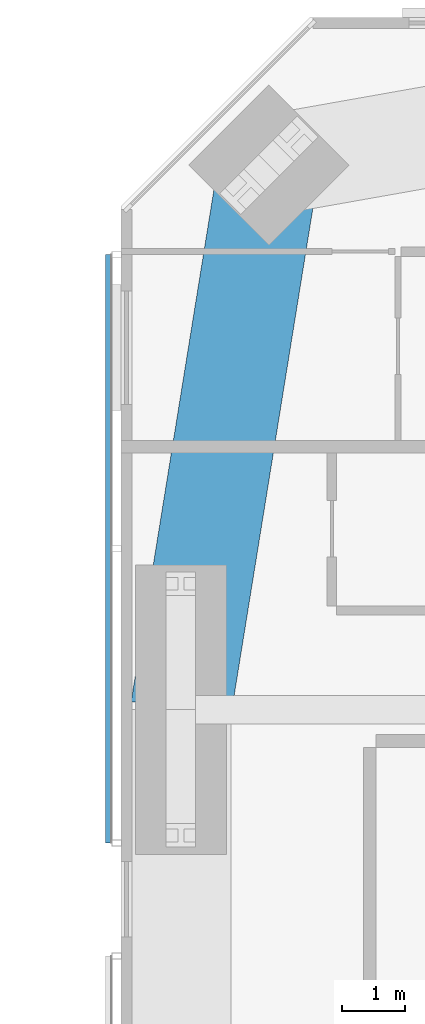
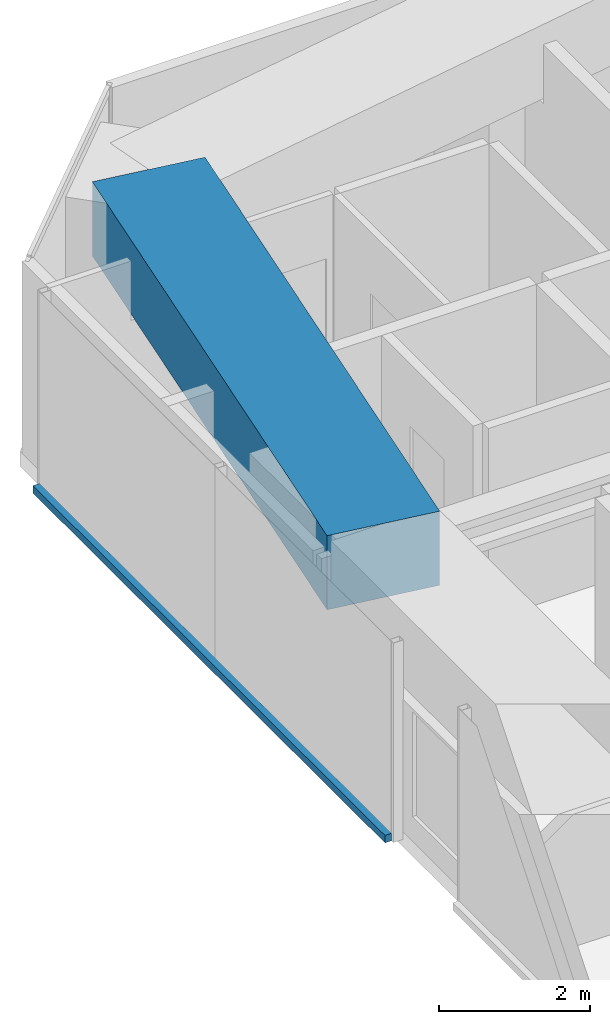
# One storey, part 6 of 22: 1 beam, 1 member, 1 element without a shape of its own.
"""IFC4 building model written with IfcOpenShell, lengths in metres."""

from ifc_helpers import new_model, si_unit, direction, frame, origin, origin_2d, place, context, subcontext, project, spatial, rectangle, extrude, material, material_profile, profile_set, type_object, element, aggregate, save


model = new_model("IFC4")

# Units and contexts
model_context = context("Model", 3, precision=1e-05, world=origin(), true_north=direction((0.0, 1.0)))
body_context = subcontext(model_context, "Body", "Model", "MODEL_VIEW")
ifc_project = project(units=[si_unit("LENGTHUNIT", "METRE"), si_unit("AREAUNIT", "SQUARE_METRE"), si_unit("VOLUMEUNIT", "CUBIC_METRE"), si_unit("PLANEANGLEUNIT", "RADIAN"), si_unit("MASSUNIT", "GRAM", prefix="KILO")], contexts=[model_context])

# Site, building, storey
site_placement = place(None, origin())
site = spatial("IfcSite", under=ifc_project, at=site_placement, CompositionType="ELEMENT")
building_placement = place(site_placement, origin())
building = spatial("IfcBuilding", under=site, at=building_placement, Name="Jalousie Tower", CompositionType="ELEMENT")
storey_placement = place(building_placement, frame((0.0, 0.0, 161.050048828125)))
storey = spatial("IfcBuildingStorey", under=building, at=storey_placement, Name="L43", CompositionType="ELEMENT", Elevation=161.050048828125)

# Beam
ifc_material_1 = material(Name="Concrete f'c 40 MPa", Category="concrete")
ifc_material_profile_1 = material_profile(ifc_material_1, rectangle(XDim=1.60009765625, YDim=1.199951171875, at=origin_2d()), Name="RC 1600x1200")
ifc_profile_set_1 = profile_set([ifc_material_profile_1], Name="Concrete f'c 40 MPa")
beam_type = type_object("IfcBeamType", Name="RC BEAM 1600x1200", PredefinedType="BEAM", material=ifc_profile_set_1)
beam_placement = place(storey_placement, frame((14.348388671875, 33.651611328125, 2.75), z_axis=(-0.159567878256, -0.987186959106, 0.0), x_axis=(0.987186959106, -0.159567878256, 0.0)))
element("IfcBeam", 1, at=beam_placement, inside=storey, type_object=beam_type, Name="Edge band beam 12-13 under L44", PredefinedType="BEAM", context=body_context, shape_type="SweptSolid", body=[
    extrude(rectangle(XDim=1.60009765625, YDim=1.199951171875, at=origin_2d()), origin(), (0.0, 0.0, 1.0), 8.763916015625),
])

# Curtain wall, member
ifc_material_2 = material(Name="Perforated aluminium sheet", Category="aluminium")
curtain_wall_type = type_object("IfcCurtainWallType", Name="SOLAR SCREEN SS-1", PredefinedType="USERDEFINED", material=ifc_material_2)
curtain_wall_placement = place(storey_placement, origin())
curtain_wall = element("IfcCurtainWall", 2, at=curtain_wall_placement, inside=storey, type_object=curtain_wall_type, Name="Solar screen L43", ObjectType="SOLAR SCREEN SS-1", PredefinedType="USERDEFINED")
ifc_material_3 = material(Name="Extruded aluminium screen rail", Category="aluminium")
ifc_material_profile_2 = material_profile(ifc_material_3, rectangle(XDim=0.1015625, YDim=0.1201171875, at=origin_2d()), Name="RAIL 102x120")
ifc_profile_set_2 = profile_set([ifc_material_profile_2], Name="Extruded aluminium screen rail")
member_type = type_object("IfcMemberType", Name="SOLAR SCREEN SS-1 TRANSOM", PredefinedType="USERDEFINED", material=ifc_profile_set_2)
member_placement = place(storey_placement, frame((11.8017578125, 32.228759765625, -0.06005859375), z_axis=(0.0, -1.0, 0.0), x_axis=(1.0, 0.0, 0.0)))
member = element("IfcMember", 3, at=member_placement, type_object=member_type, Name="SS1 rail", ObjectType="TRANSOM", PredefinedType="USERDEFINED", context=body_context, shape_type="SweptSolid", body=[
    extrude(rectangle(XDim=0.1015625, YDim=0.1201171875, at=origin_2d()), origin(), (0.0, 0.0, 1.0), 9.346923828125),
])
aggregate(curtain_wall, [member])

save(model, "model.ifc")
